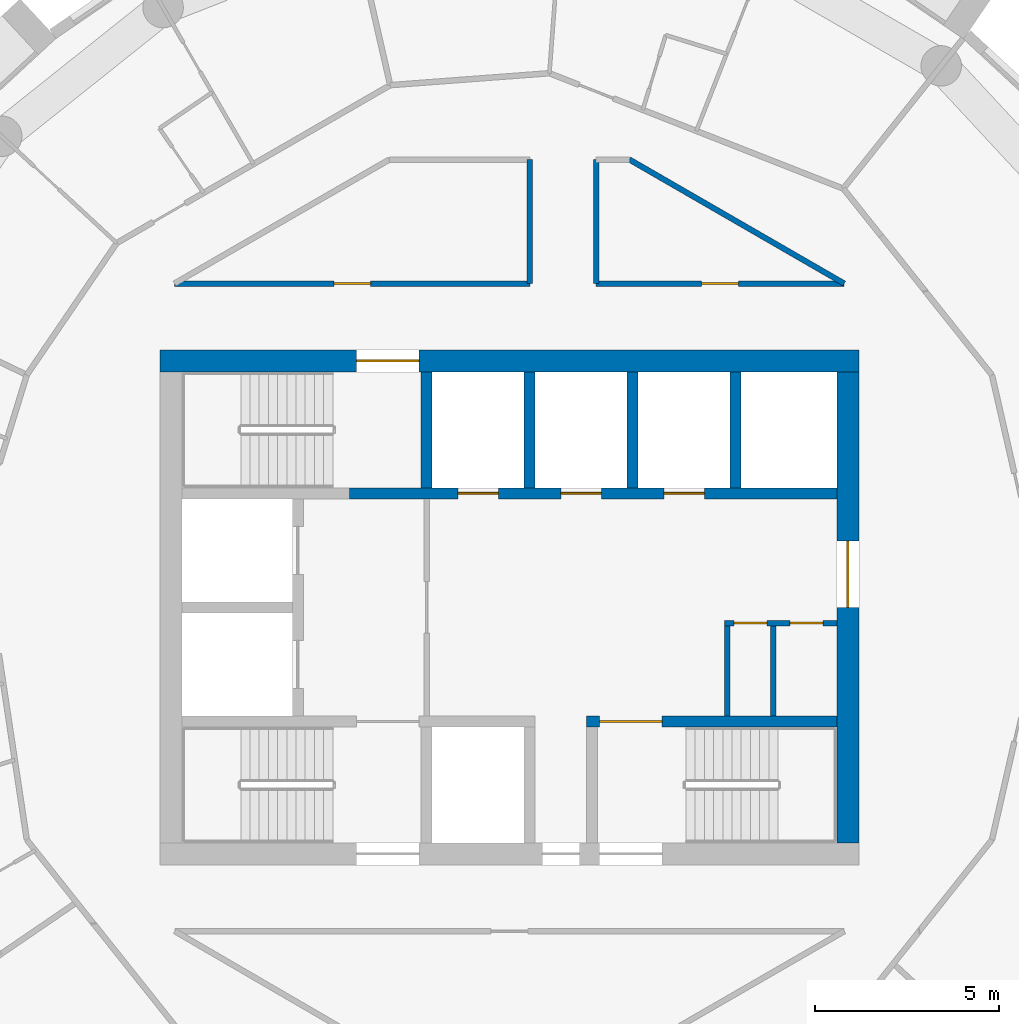
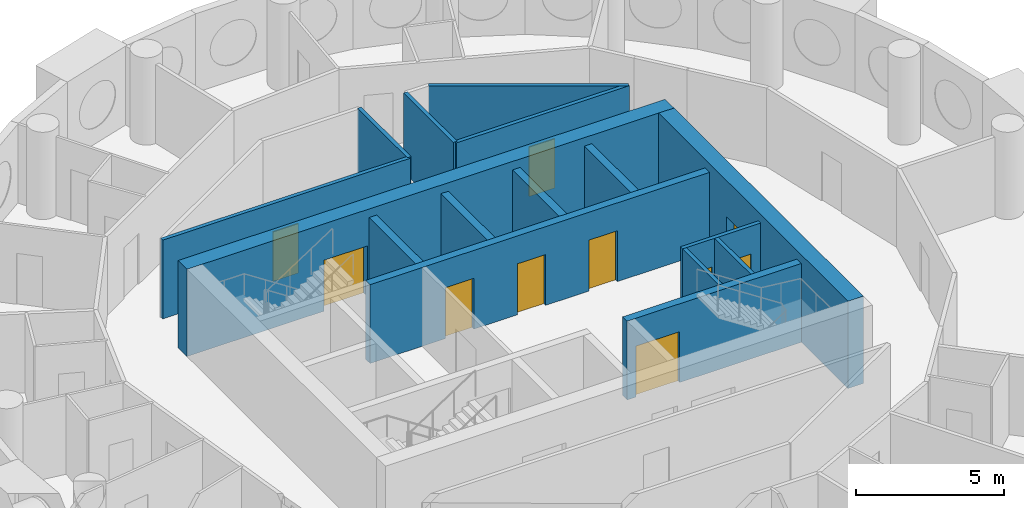
# One storey, part 6 of 11: 16 walls, 10 doors, 10 openings.
"""IFC4 building model written with IfcOpenShell, lengths in metres."""

import ifcopenshell
import ifcopenshell.guid

model = None  # the IFC model being written
_history = None  # IfcOwnerHistory: only IFC2X3 demands one
_inside = {}  # id of a spatial element -> (the spatial element, [elements in it])
_under = {}  # id of a project, library or spatial element -> (it, [spatial elements below it])
_declared = {}  # id of a project -> (the project, [libraries it declares])
_typed = {}  # id of a type object -> (the type object, [elements of that type])
_made_of = {}  # id of a material, layer set ... -> (it, [elements and type objects made of it])


def new_model(schema):
    """Start an empty IFC model of exactly this schema.

    Asked for "IFC4X3", IfcOpenShell would pick the latest addendum, in which some entities
    have other attributes; the version numbers below select the first issue.
    IFC2X3 requires an IfcOwnerHistory on every rooted entity: one is made here for all.
    """
    global model, _history
    if schema == "IFC4X3":
        model = ifcopenshell.file(schema_version=(4, 3, 0, 0))
    else:
        model = ifcopenshell.file(schema=schema)
    _inside.clear()
    _under.clear()
    _declared.clear()
    _typed.clear()
    _made_of.clear()
    _history = None
    if model.schema == "IFC2X3":
        org = make("IfcOrganization", Name="unknown")
        user = make(
            "IfcPersonAndOrganization",
            ThePerson=make("IfcPerson", FamilyName="unknown"),
            TheOrganization=org,
        )
        app = make(
            "IfcApplication",
            ApplicationDeveloper=org,
            Version="unknown",
            ApplicationFullName="unknown",
            ApplicationIdentifier="unknown",
        )
        _history = make(
            "IfcOwnerHistory",
            OwningUser=user,
            OwningApplication=app,
            ChangeAction="ADDED",
            CreationDate=0,
        )
    return model


def make(cls, **values):
    """One entity of the class cls with the attributes given. An attribute that is None is left unset."""
    return model.create_entity(
        cls, **{name: value for name, value in values.items() if value is not None}
    )


def rooted(cls, **values):
    """An entity with a GlobalId (a new one), such as an element, a storey or a relation."""
    return make(cls, GlobalId=ifcopenshell.guid.new(), OwnerHistory=_history, **values)


def si_unit(unit_type, name, prefix=None):
    """IfcSIUnit, for example si_unit("LENGTHUNIT", "METRE", prefix="MILLI")."""
    return make("IfcSIUnit", UnitType=unit_type, Prefix=prefix, Name=name)


def assignment(units):
    """IfcUnitAssignment: the units of a project."""
    return None if units is None else make("IfcUnitAssignment", Units=units)


def point(xyz):
    """IfcCartesianPoint."""
    return None if xyz is None else make("IfcCartesianPoint", Coordinates=xyz)


def direction(xyz):
    """IfcDirection."""
    return None if xyz is None else make("IfcDirection", DirectionRatios=xyz)


def frame(location, z_axis=None, x_axis=None):
    """IfcAxis2Placement3D, a coordinate frame: its origin and axes. An axis left out is left unset."""
    return make(
        "IfcAxis2Placement3D",
        Location=point(location),
        Axis=direction(z_axis),
        RefDirection=direction(x_axis),
    )


def frame_2d(location, x_axis=None):
    """IfcAxis2Placement2D, a coordinate frame in the plane: its origin and x axis."""
    return make(
        "IfcAxis2Placement2D", Location=point(location), RefDirection=direction(x_axis)
    )


def origin():
    """The frame at (0, 0, 0) with its axes left unset."""
    return frame((0.0, 0.0, 0.0))


def place(relative_to, where):
    """IfcLocalPlacement: puts the frame where relative to a parent placement (None: the world)."""
    return make(
        "IfcLocalPlacement", PlacementRelTo=relative_to, RelativePlacement=where
    )


def context(
    kind, dimensions, precision=None, world=None, true_north=None, identifier=None
):
    """IfcGeometricRepresentationContext, for example the 3D "Model" context."""
    return make(
        "IfcGeometricRepresentationContext",
        ContextIdentifier=identifier,
        ContextType=kind,
        CoordinateSpaceDimension=dimensions,
        Precision=precision,
        WorldCoordinateSystem=world,
        TrueNorth=true_north,
    )


def subcontext(parent, identifier, kind, view, scale=None):
    """IfcGeometricRepresentationSubContext, for example "Body" below "Model"."""
    return make(
        "IfcGeometricRepresentationSubContext",
        ContextIdentifier=identifier,
        ContextType=kind,
        ParentContext=parent,
        TargetScale=scale,
        TargetView=view,
    )


def project(units=None, contexts=None):
    """IfcProject with its units and contexts."""
    return rooted(
        "IfcProject",
        Name="project",
        RepresentationContexts=contexts,
        UnitsInContext=assignment(units),
    )


def spatial(cls, under=None, at=None, **own):
    """A site, building, storey or space (cls), placed at a placement, below another one or the project."""
    s = rooted(cls, ObjectPlacement=at, **own)
    if under is not None:
        _under.setdefault(under.id(), (under, []))[1].append(s)
    return s


def profile(cls, at=None, kind="AREA", **sizes):
    """A parametric profile (cls). Its sizes go by their IFC names, for example OverallWidth=200.0."""
    return make(cls, ProfileType=kind, Position=at, **sizes)


def rectangle(**sizes):
    """IfcRectangleProfileDef."""
    return profile("IfcRectangleProfileDef", **sizes)


def extrude(swept, where, along, depth):
    """IfcExtrudedAreaSolid: the profile swept, set in the frame where, extruded along a direction by depth."""
    return make(
        "IfcExtrudedAreaSolid",
        SweptArea=swept,
        Position=where,
        ExtrudedDirection=direction(along),
        Depth=depth,
    )


def shape(context_of_items, identifier, shape_type, items):
    """IfcShapeRepresentation: the items that make up one representation, for example the "Body"."""
    return make(
        "IfcShapeRepresentation",
        ContextOfItems=context_of_items,
        RepresentationIdentifier=identifier,
        RepresentationType=shape_type,
        Items=items,
    )


def material(Name=None, Category=None):
    """IfcMaterial."""
    return make("IfcMaterial", Name=Name, Category=Category)


def layer(
    of_material, thickness, ventilated=None, Name=None, Category=None, Priority=None
):
    """IfcMaterialLayer: one layer of a wall or slab, of a material (None: an air gap)."""
    return make(
        "IfcMaterialLayer",
        Material=of_material,
        LayerThickness=thickness,
        IsVentilated=ventilated,
        Name=Name,
        Category=Category,
        Priority=Priority,
    )


def layer_set(layers, Name=None):
    """IfcMaterialLayerSet."""
    return make("IfcMaterialLayerSet", MaterialLayers=layers, LayerSetName=Name)


def made_of(thing, what):
    """Note that an element or type object is made of a material, layer set ...; save() writes the relation."""
    if what is not None:
        _made_of.setdefault(what.id(), (what, []))[1].append(thing)
    return thing


def type_object(cls, material=None, **own):
    """A type object (cls), such as IfcWallType, which elements share."""
    return made_of(rooted(cls, **own), material)


def element(
    cls,
    number,
    at=None,
    inside=None,
    cuts=None,
    type_object=None,
    material=None,
    context=None,
    identifier="Body",
    shape_type=None,
    held_by="IfcProductDefinitionShape",
    body=None,
    shapes=None,
    **own,
):
    """One element of the class cls, such as IfcWall. Its Tag is "e" and its number.

    at: its placement. inside: the storey or other place that contains it. cuts: it is an
    opening in that element (IfcRelVoidsElement). A single representation is given by context,
    identifier, shape_type and body (its items); several are given by shapes. held_by: the class
    of the entity that holds the representations. save() writes the other relations.
    """
    e = rooted(cls, Tag="e%d" % number, ObjectPlacement=at, **own)
    if body is not None:
        shapes = [shape(context, identifier, shape_type, body)]
    if shapes is not None:
        e.Representation = make(held_by, Representations=shapes)
    if inside is not None:
        _inside.setdefault(inside.id(), (inside, []))[1].append(e)
    if cuts is not None:
        rooted(
            "IfcRelVoidsElement", RelatingBuildingElement=cuts, RelatedOpeningElement=e
        )
    if type_object is not None:
        _typed.setdefault(type_object.id(), (type_object, []))[1].append(e)
    return made_of(e, material)


def fill(opening, filler):
    """IfcRelFillsElement: the door or window that sits in an opening."""
    return rooted(
        "IfcRelFillsElement",
        RelatingOpeningElement=opening,
        RelatedBuildingElement=filler,
    )


def aggregate(whole, parts):
    """IfcRelAggregates: a whole, such as a stair, and the parts it consists of."""
    return rooted("IfcRelAggregates", RelatingObject=whole, RelatedObjects=parts)


def save(model, path):
    """Write the relations noted so far, then the file.

    IfcRelAggregates (storeys below a building ...), IfcRelContainedInSpatialStructure (elements
    in a storey), IfcRelDefinesByType, IfcRelAssociatesMaterial and IfcRelDeclares: one each for
    every whole, place, type object, material and project.
    """
    for whole, parts in _under.values():
        aggregate(whole, parts)
    for where, things in _inside.values():
        rooted(
            "IfcRelContainedInSpatialStructure",
            RelatedElements=things,
            RelatingStructure=where,
        )
    for kind, things in _typed.values():
        rooted("IfcRelDefinesByType", RelatedObjects=things, RelatingType=kind)
    for what, things in _made_of.values():
        rooted("IfcRelAssociatesMaterial", RelatedObjects=things, RelatingMaterial=what)
    for by, libraries in _declared.values():
        rooted("IfcRelDeclares", RelatingContext=by, RelatedDefinitions=libraries)
    model.write(path)


model = new_model("IFC4")

# Units and contexts
model_context = context("Model", 3, precision=1e-05, world=origin(), true_north=direction((0.0, 1.0)))
body_context = subcontext(model_context, "Body", "Model", "MODEL_VIEW")
ifc_project = project(units=[si_unit("LENGTHUNIT", "METRE"), si_unit("AREAUNIT", "SQUARE_METRE"), si_unit("VOLUMEUNIT", "CUBIC_METRE"), si_unit("PLANEANGLEUNIT", "RADIAN"), si_unit("MASSUNIT", "GRAM", prefix="KILO")], contexts=[model_context])

# Site, building, storey
site_placement = place(None, origin())
site = spatial("IfcSite", under=ifc_project, at=site_placement, CompositionType="ELEMENT")
building_placement = place(site_placement, origin())
building = spatial("IfcBuilding", under=site, at=building_placement, Name="Tracery Tower", CompositionType="ELEMENT")
storey_placement = place(building_placement, frame((0.0, 0.0, 263.39990234375)))
storey = spatial("IfcBuildingStorey", under=building, at=storey_placement, Name="L68", CompositionType="ELEMENT", Elevation=263.39990234375)

# Wall
ifc_material_1 = material(Name="Plasterboard on steel studs", Category="steel")
ifc_layer_1 = layer(ifc_material_1, 0.14990234375)
ifc_layer_set_1 = layer_set([ifc_layer_1], Name="Core room partition 150")
wall_type_1 = type_object("IfcWallType", Name="Core room partition 150", PredefinedType="SOLIDWALL", material=ifc_layer_set_1)
wall_1_placement = place(storey_placement, frame((5.925048828125, -2.949951171875, 0.0), z_axis=(0.0, 0.0, 1.0), x_axis=(0.0, 1.0, 0.0)))
element("IfcWall", 1, at=wall_1_placement, inside=storey, type_object=wall_type_1, Name="L68 slot W", PredefinedType="SOLIDWALL", context=body_context, shape_type="SweptSolid", body=[
    extrude(rectangle(XDim=2.449951171875, YDim=0.14990234375, at=frame_2d((1.22509765625, 0.0))), origin(), (0.0, 0.0, 1.0), 3.25),
])

# Wall, openings, doors
wall_2_placement = place(storey_placement, frame((5.85009765625, -0.425048828125, 0.0), z_axis=(0.0, 0.0, 1.0), x_axis=(1.0, 0.0, 0.0)))
wall_2 = element("IfcWall", 2, at=wall_2_placement, inside=storey, type_object=wall_type_1, Name="L68 slot N", PredefinedType="SOLIDWALL", context=body_context, shape_type="SweptSolid", body=[
    extrude(rectangle(XDim=3.0498046875, YDim=0.14990234375, at=frame_2d((1.52490234375, 0.0))), origin(), (0.0, 0.0, 1.0), 3.25),
])
opening_1_placement = place(wall_2_placement, frame((0.25, 0.0, 0.0)))
opening_1 = element("IfcOpeningElement", 3, at=opening_1_placement, cuts=wall_2, Name="Opening KD27", PredefinedType="OPENING", context=body_context, shape_type="SweptSolid", body=[
    extrude(rectangle(XDim=0.89990234375, YDim=2.10009765625, at=frame_2d((0.449951171875, 1.050048828125))), frame((0.0, 0.074951171875, 0.0), z_axis=(0.0, -1.0, 0.0), x_axis=(1.0, 0.0, 0.0)), (0.0, 0.0, 1.0), 0.14990234375),
])
opening_2_placement = place(wall_2_placement, frame((1.77490234375, 0.0, 0.0)))
opening_2 = element("IfcOpeningElement", 4, at=opening_2_placement, cuts=wall_2, Name="Opening KD21", PredefinedType="OPENING", context=body_context, shape_type="SweptSolid", body=[
    extrude(rectangle(XDim=0.89990234375, YDim=2.10009765625, at=frame_2d((0.449951171875, 1.050048828125))), frame((0.0, 0.074951171875, 0.0), z_axis=(0.0, -1.0, 0.0), x_axis=(1.0, 0.0, 0.0)), (0.0, 0.0, 1.0), 0.14990234375),
])
ifc_material_2 = material(Name="Timber door leaf", Category="wood")
door_type_1 = type_object("IfcDoorType", Name="Core WC door 900", OperationType="NOTDEFINED", PredefinedType="DOOR", material=ifc_material_2)
door_1_placement = place(opening_2_placement, origin())
door_1 = element("IfcDoor", 5, at=door_1_placement, inside=storey, type_object=door_type_1, Name="Core door", OperationType="SINGLE_SWING_LEFT", OverallHeight=2.10009765625, OverallWidth=0.89990234375, PredefinedType="DOOR", context=body_context, shape_type="SweptSolid", body=[
    extrude(rectangle(XDim=0.89990234375, YDim=2.10009765625, at=frame_2d((0.449951171875, 1.050048828125))), frame((0.0, 0.02490234375, 0.0), z_axis=(0.0, -1.0, 0.0), x_axis=(1.0, 0.0, 0.0)), (0.0, 0.0, 1.0), 0.050048828125),
])
fill(opening_2, door_1)
ifc_material_3 = material(Name="Timber door leaf", Category="wood")
door_type_2 = type_object("IfcDoorType", Name="Core store door 900", OperationType="NOTDEFINED", PredefinedType="DOOR", material=ifc_material_3)
door_2_placement = place(opening_1_placement, origin())
door_2 = element("IfcDoor", 6, at=door_2_placement, inside=storey, type_object=door_type_2, Name="Core door", OperationType="SINGLE_SWING_RIGHT", OverallHeight=2.10009765625, OverallWidth=0.89990234375, PredefinedType="DOOR", context=body_context, shape_type="SweptSolid", body=[
    extrude(rectangle(XDim=0.89990234375, YDim=2.10009765625, at=frame_2d((0.449951171875, 1.050048828125))), frame((0.0, 0.02490234375, 0.0), z_axis=(0.0, -1.0, 0.0), x_axis=(1.0, 0.0, 0.0)), (0.0, 0.0, 1.0), 0.050048828125),
])
fill(opening_1, door_2)

# Wall
wall_3_placement = place(storey_placement, frame((7.175048828125, -2.949951171875, 0.0), z_axis=(0.0, 0.0, 1.0), x_axis=(0.0, 1.0, 0.0)))
element("IfcWall", 7, at=wall_3_placement, inside=storey, type_object=wall_type_1, Name="L68 slot sep 1", PredefinedType="SOLIDWALL", context=body_context, shape_type="SweptSolid", body=[
    extrude(rectangle(XDim=2.449951171875, YDim=0.14990234375, at=frame_2d((1.22509765625, 0.0))), origin(), (0.0, 0.0, 1.0), 3.25),
])

# Wall, opening, door
ifc_material_4 = material(Name="Concrete C40/50", Category="concrete")
ifc_layer_2 = layer(ifc_material_4, 0.60009765625)
ifc_layer_set_2 = layer_set([ifc_layer_2], Name="Core wall 600 C40")
wall_type_2 = type_object("IfcWallType", Name="Core wall 600 C40", PredefinedType="SOLIDWALL", material=ifc_layer_set_2)
wall_4_placement = place(storey_placement, frame((-9.5, 6.699951171875, 0.0), z_axis=(0.0, 0.0, 1.0), x_axis=(1.0, 0.0, 0.0)))
wall_4 = element("IfcWall", 8, at=wall_4_placement, inside=storey, type_object=wall_type_2, Name="L68 outer N", PredefinedType="SOLIDWALL", context=body_context, shape_type="SweptSolid", body=[
    extrude(rectangle(XDim=19.0, YDim=0.60009765625, at=frame_2d((9.5, 0.0))), origin(), (0.0, 0.0, 1.0), 3.60009765625),
])
opening_3_placement = place(wall_4_placement, frame((5.35009765625, 0.0, 0.0)))
opening_3 = element("IfcOpeningElement", 9, at=opening_3_placement, cuts=wall_4, Name="Opening KD3", PredefinedType="OPENING", context=body_context, shape_type="SweptSolid", body=[
    extrude(rectangle(XDim=1.699951171875, YDim=2.10009765625, at=frame_2d((0.85009765625, 1.050048828125))), frame((0.0, 0.300048828125, 0.0), z_axis=(0.0, -1.0, 0.0), x_axis=(1.0, 0.0, 0.0)), (0.0, 0.0, 1.0), 0.60009765625),
])
ifc_material_5 = material(Name="Steel fire door", Category="steel")
door_type_3 = type_object("IfcDoorType", Name="Core stair door 1700 double", OperationType="NOTDEFINED", PredefinedType="DOOR", material=ifc_material_5)
door_3_placement = place(opening_3_placement, origin())
door_3 = element("IfcDoor", 10, at=door_3_placement, inside=storey, type_object=door_type_3, Name="Stair door ST3 exit", OperationType="DOUBLE_DOOR_SINGLE_SWING", OverallHeight=2.10009765625, OverallWidth=1.699951171875, PredefinedType="DOOR", context=body_context, shape_type="SweptSolid", body=[
    extrude(rectangle(XDim=1.699951171875, YDim=2.10009765625, at=frame_2d((0.85009765625, 1.050048828125))), frame((0.0, 0.02490234375, 0.0), z_axis=(0.0, -1.0, 0.0), x_axis=(1.0, 0.0, 0.0)), (0.0, 0.0, 1.0), 0.050048828125),
])
fill(opening_3, door_3)

wall_5_placement = place(storey_placement, frame((9.199951171875, -6.39990234375, 0.0), z_axis=(0.0, 0.0, 1.0), x_axis=(0.0, 1.0, 0.0)))
wall_5 = element("IfcWall", 11, at=wall_5_placement, inside=storey, type_object=wall_type_2, Name="L68 outer E", PredefinedType="SOLIDWALL", context=body_context, shape_type="SweptSolid", body=[
    extrude(rectangle(XDim=12.7998046875, YDim=0.60009765625, at=frame_2d((6.39990234375, 0.0))), origin(), (0.0, 0.0, 1.0), 3.60009765625),
])
opening_4_placement = place(wall_5_placement, frame((6.39990234375, 0.0, 0.0)))
opening_4 = element("IfcOpeningElement", 12, at=opening_4_placement, cuts=wall_5, Name="Opening KD13", PredefinedType="OPENING", context=body_context, shape_type="SweptSolid", body=[
    extrude(rectangle(XDim=1.800048828125, YDim=2.10009765625, at=frame_2d((0.89990234375, 1.050048828125))), frame((0.0, 0.300048828125, 0.0), z_axis=(0.0, -1.0, 0.0), x_axis=(1.0, 0.0, 0.0)), (0.0, 0.0, 1.0), 0.60009765625),
])
ifc_material_6 = material(Name="Steel fire door", Category="steel")
door_type_4 = type_object("IfcDoorType", Name="Core exit door 1800 double", OperationType="NOTDEFINED", PredefinedType="DOOR", material=ifc_material_6)
door_4_placement = place(opening_4_placement, origin())
door_4 = element("IfcDoor", 13, at=door_4_placement, inside=storey, type_object=door_type_4, Name="Core exit door", OperationType="DOUBLE_DOOR_SINGLE_SWING", OverallHeight=2.10009765625, OverallWidth=1.800048828125, PredefinedType="DOOR", context=body_context, shape_type="SweptSolid", body=[
    extrude(rectangle(XDim=1.800048828125, YDim=2.10009765625, at=frame_2d((0.89990234375, 1.050048828125))), frame((0.0, 0.02490234375, 0.0), z_axis=(0.0, -1.0, 0.0), x_axis=(1.0, 0.0, 0.0)), (0.0, 0.0, 1.0), 0.050048828125),
])
fill(opening_4, door_4)

ifc_material_7 = material(Name="Plasterboard on steel studs", Category="steel")
ifc_layer_3 = layer(ifc_material_7, 0.14990234375)
ifc_layer_set_3 = layer_set([ifc_layer_3], Name="Partition 150 corridor wall")
wall_type_3 = type_object("IfcWallType", Name="Partition 150 corridor wall", PredefinedType="PARTITIONING", material=ifc_layer_set_3)
wall_6_placement = place(storey_placement, frame((-9.10302734375, 8.800048828125, 0.0), z_axis=(0.0, 0.0, 1.0), x_axis=(1.0, 0.0, 0.0)))
wall_6 = element("IfcWall", 14, at=wall_6_placement, inside=storey, type_object=wall_type_3, Name="Corridor wall RC4-001", PredefinedType="PARTITIONING", context=body_context, shape_type="SweptSolid", body=[
    extrude(rectangle(XDim=9.6630859375, YDim=0.14990234375, at=frame_2d((4.83154296875, 0.0))), origin(), (0.0, 0.0, 1.0), 3.25),
])
opening_5_placement = place(wall_6_placement, frame((4.33203125, 0.0, 0.0)))
opening_5 = element("IfcOpeningElement", 15, at=opening_5_placement, cuts=wall_6, Name="Opening RC4-01", PredefinedType="OPENING", context=body_context, shape_type="SweptSolid", body=[
    extrude(rectangle(XDim=1.0, YDim=2.0400390625, at=frame_2d((0.5, 1.02001953125))), frame((0.0, 0.074951171875, 0.0), z_axis=(0.0, -1.0, 0.0), x_axis=(1.0, 0.0, 0.0)), (0.0, 0.0, 1.0), 0.14990234375),
])
ifc_material_8 = material(Name="Timber door leaf", Category="wood")
door_type_5 = type_object("IfcDoorType", Name="Door communal room 1000", OperationType="NOTDEFINED", PredefinedType="DOOR", material=ifc_material_8)
door_5_placement = place(opening_5_placement, origin())
door_5 = element("IfcDoor", 16, at=door_5_placement, inside=storey, type_object=door_type_5, Name="Communal room door RC4-01", OperationType="SINGLE_SWING_RIGHT", OverallHeight=2.0400390625, OverallWidth=1.0, PredefinedType="DOOR", context=body_context, shape_type="SweptSolid", body=[
    extrude(rectangle(XDim=1.0, YDim=2.0400390625, at=frame_2d((0.5, 1.02001953125))), frame((0.0, 0.02490234375, 0.0), z_axis=(0.0, -1.0, 0.0), x_axis=(1.0, 0.0, 0.0)), (0.0, 0.0, 1.0), 0.050048828125),
])
fill(opening_5, door_5)

wall_7_placement = place(storey_placement, frame((2.35205078125, 8.800048828125, 0.0), z_axis=(0.0, 0.0, 1.0), x_axis=(1.0, 0.0, 0.0)))
wall_7 = element("IfcWall", 17, at=wall_7_placement, inside=storey, type_object=wall_type_3, Name="Corridor wall RC4-002", PredefinedType="PARTITIONING", context=body_context, shape_type="SweptSolid", body=[
    extrude(rectangle(XDim=6.74853515625, YDim=0.14990234375, at=frame_2d((3.374267578125, 0.0))), origin(), (0.0, 0.0, 1.0), 3.25),
])
opening_6_placement = place(wall_7_placement, frame((2.8701171875, 0.0, 0.0)))
opening_6 = element("IfcOpeningElement", 18, at=opening_6_placement, cuts=wall_7, Name="Opening RC4-02", PredefinedType="OPENING", context=body_context, shape_type="SweptSolid", body=[
    extrude(rectangle(XDim=1.0, YDim=2.0400390625, at=frame_2d((0.5, 1.02001953125))), frame((0.0, 0.074951171875, 0.0), z_axis=(0.0, -1.0, 0.0), x_axis=(1.0, 0.0, 0.0)), (0.0, 0.0, 1.0), 0.14990234375),
])
door_6_placement = place(opening_6_placement, origin())
door_6 = element("IfcDoor", 19, at=door_6_placement, inside=storey, type_object=door_type_5, Name="Communal room door RC4-02", OperationType="SINGLE_SWING_RIGHT", OverallHeight=2.0400390625, OverallWidth=1.0, PredefinedType="DOOR", context=body_context, shape_type="SweptSolid", body=[
    extrude(rectangle(XDim=1.0, YDim=2.0400390625, at=frame_2d((0.5, 1.02001953125))), frame((0.0, 0.02490234375, 0.0), z_axis=(0.0, -1.0, 0.0), x_axis=(1.0, 0.0, 0.0)), (0.0, 0.0, 1.0), 0.050048828125),
])
fill(opening_6, door_6)

# Walls
wall_8_placement = place(storey_placement, frame((0.555908203125, 8.800048828125, 0.0), z_axis=(0.0, 0.0, 1.0), x_axis=(0.0, 1.0, 0.0)))
element("IfcWall", 20, at=wall_8_placement, inside=storey, type_object=wall_type_3, Name="Corridor wall RC4-020", PredefinedType="PARTITIONING", context=body_context, shape_type="SweptSolid", body=[
    extrude(rectangle(XDim=3.370849609375, YDim=0.14990234375, at=frame_2d((1.685546875, 0.0))), origin(), (0.0, 0.0, 1.0), 3.25),
])
wall_9_placement = place(storey_placement, frame((3.260986328125, 12.1708984375, 0.0), z_axis=(0.0, 0.0, 1.0), x_axis=(0.866066809554, -0.499928276245, 0.0)))
element("IfcWall", 21, at=wall_9_placement, inside=storey, type_object=wall_type_3, Name="Corridor wall RC4-023", PredefinedType="PARTITIONING", context=body_context, shape_type="SweptSolid", body=[
    extrude(rectangle(XDim=6.74267578125, YDim=0.14990234375, at=frame_2d((3.371337890625, 0.0))), origin(), (0.0, 0.0, 1.0), 3.25),
])
wall_10_placement = place(storey_placement, frame((2.35595703125, 8.800048828125, 0.0), z_axis=(0.0, 0.0, 1.0), x_axis=(0.0, 1.0, 0.0)))
element("IfcWall", 22, at=wall_10_placement, inside=storey, type_object=wall_type_3, Name="Corridor wall RC4-025", PredefinedType="PARTITIONING", context=body_context, shape_type="SweptSolid", body=[
    extrude(rectangle(XDim=3.370849609375, YDim=0.14990234375, at=frame_2d((1.685546875, 0.0))), origin(), (0.0, 0.0, 1.0), 3.25),
])
ifc_material_9 = material(Name="Concrete C40/50", Category="concrete")
ifc_layer_4 = layer(ifc_material_9, 0.300048828125)
ifc_layer_set_4 = layer_set([ifc_layer_4], Name="Shaft wall 300 C40")
wall_type_4 = type_object("IfcWallType", Name="Shaft wall 300 C40", PredefinedType="SOLIDWALL", material=ifc_layer_set_4)
for number, where, z_axis, x_axis, name in (
    (23, (0.550048828125, 3.25, 0.0), (0.0, 0.0, 1.0), (0.0, 1.0, 0.0), "L68 HR sep 1"),
    (24, (3.35009765625, 3.25, 0.0), (0.0, 0.0, 1.0), (0.0, 1.0, 0.0), "L68 HR sep 2"),
    (25, (6.14990234375, 3.25, 0.0), (0.0, 0.0, 1.0), (0.0, 1.0, 0.0), "L68 HR sep 3"),
):
    element("IfcWall", number, at=place(storey_placement, frame(where, z_axis=z_axis, x_axis=x_axis)), inside=storey, type_object=wall_type_4, Name=name, PredefinedType="SOLIDWALL", context=body_context, shape_type="SweptSolid", body=[
        extrude(rectangle(XDim=3.14990234375, YDim=0.300048828125, at=frame_2d((1.574951171875, 0.0))), origin(), (0.0, 0.0, 1.0), 3.25),
    ])

# Wall, opening, door
ifc_material_10 = material(Name="Concrete C40/50", Category="concrete")
ifc_layer_5 = layer(ifc_material_10, 0.300048828125)
ifc_layer_set_5 = layer_set([ifc_layer_5], Name="Stair wall 300 C40")
wall_type_5 = type_object("IfcWallType", Name="Stair wall 300 C40", PredefinedType="SOLIDWALL", material=ifc_layer_set_5)
wall_11_placement = place(storey_placement, frame((2.10009765625, -3.10009765625, 0.0), z_axis=(0.0, 0.0, 1.0), x_axis=(1.0, 0.0, 0.0)))
wall_11 = element("IfcWall", 26, at=wall_11_placement, inside=storey, type_object=wall_type_5, Name="L68 row S E", PredefinedType="SOLIDWALL", context=body_context, shape_type="SweptSolid", body=[
    extrude(rectangle(XDim=6.7998046875, YDim=0.300048828125, at=frame_2d((3.39990234375, 0.0))), origin(), (0.0, 0.0, 1.0), 3.25),
])
opening_7_placement = place(wall_11_placement, frame((0.35009765625, 0.0, 0.0)))
opening_7 = element("IfcOpeningElement", 27, at=opening_7_placement, cuts=wall_11, Name="Opening KD3", PredefinedType="OPENING", context=body_context, shape_type="SweptSolid", body=[
    extrude(rectangle(XDim=1.699951171875, YDim=2.10009765625, at=frame_2d((0.85009765625, 1.050048828125))), frame((0.0, 0.14990234375, 0.0), z_axis=(0.0, -1.0, 0.0), x_axis=(1.0, 0.0, 0.0)), (0.0, 0.0, 1.0), 0.300048828125),
])
door_7_placement = place(opening_7_placement, origin())
door_7 = element("IfcDoor", 28, at=door_7_placement, inside=storey, type_object=door_type_3, Name="Stair door ST2", OperationType="DOUBLE_DOOR_SINGLE_SWING", OverallHeight=2.10009765625, OverallWidth=1.699951171875, PredefinedType="DOOR", context=body_context, shape_type="SweptSolid", body=[
    extrude(rectangle(XDim=1.699951171875, YDim=2.10009765625, at=frame_2d((0.85009765625, 1.050048828125))), frame((0.0, 0.02490234375, 0.0), z_axis=(0.0, -1.0, 0.0), x_axis=(1.0, 0.0, 0.0)), (0.0, 0.0, 1.0), 0.050048828125),
])
fill(opening_7, door_7)

# Wall, openings, doors
wall_12_placement = place(storey_placement, frame((-4.35009765625, 3.10009765625, 0.0), z_axis=(0.0, 0.0, 1.0), x_axis=(1.0, 0.0, 0.0)))
wall_12 = element("IfcWall", 29, at=wall_12_placement, inside=storey, type_object=wall_type_5, Name="L68 row N", PredefinedType="SOLIDWALL", context=body_context, shape_type="SweptSolid", body=[
    extrude(rectangle(XDim=13.25, YDim=0.300048828125, at=frame_2d((6.625, 0.0))), origin(), (0.0, 0.0, 1.0), 3.25),
])
opening_8_placement = place(wall_12_placement, frame((2.949951171875, 0.0, 0.0)))
opening_8 = element("IfcOpeningElement", 30, at=opening_8_placement, cuts=wall_12, Name="Opening KD49", PredefinedType="OPENING", context=body_context, shape_type="SweptSolid", body=[
    extrude(rectangle(XDim=1.10009765625, YDim=2.10009765625, at=frame_2d((0.550048828125, 1.050048828125))), frame((0.0, 0.14990234375, 0.0), z_axis=(0.0, -1.0, 0.0), x_axis=(1.0, 0.0, 0.0)), (0.0, 0.0, 1.0), 0.300048828125),
])
opening_9_placement = place(wall_12_placement, frame((5.75, 0.0, 0.0)))
opening_9 = element("IfcOpeningElement", 31, at=opening_9_placement, cuts=wall_12, Name="Opening KD50", PredefinedType="OPENING", context=body_context, shape_type="SweptSolid", body=[
    extrude(rectangle(XDim=1.10009765625, YDim=2.10009765625, at=frame_2d((0.550048828125, 1.050048828125))), frame((0.0, 0.14990234375, 0.0), z_axis=(0.0, -1.0, 0.0), x_axis=(1.0, 0.0, 0.0)), (0.0, 0.0, 1.0), 0.300048828125),
])
opening_10_placement = place(wall_12_placement, frame((8.550048828125, 0.0, 0.0)))
opening_10 = element("IfcOpeningElement", 32, at=opening_10_placement, cuts=wall_12, Name="Opening KD49", PredefinedType="OPENING", context=body_context, shape_type="SweptSolid", body=[
    extrude(rectangle(XDim=1.10009765625, YDim=2.10009765625, at=frame_2d((0.550048828125, 1.050048828125))), frame((0.0, 0.14990234375, 0.0), z_axis=(0.0, -1.0, 0.0), x_axis=(1.0, 0.0, 0.0)), (0.0, 0.0, 1.0), 0.300048828125),
])
ifc_material_11 = material(Name="Steel fire door", Category="steel")
door_type_6 = type_object("IfcDoorType", Name="Landing door 1100", OperationType="NOTDEFINED", PredefinedType="DOOR", material=ifc_material_11)
door_8_placement = place(opening_8_placement, origin())
door_8 = element("IfcDoor", 33, at=door_8_placement, inside=storey, type_object=door_type_6, Name="Landing door HR1", OperationType="SLIDING_TO_LEFT", OverallHeight=2.10009765625, OverallWidth=1.10009765625, PredefinedType="DOOR", context=body_context, shape_type="SweptSolid", body=[
    extrude(rectangle(XDim=1.10009765625, YDim=2.10009765625, at=frame_2d((0.550048828125, 1.050048828125))), frame((0.0, 0.02490234375, 0.0), z_axis=(0.0, -1.0, 0.0), x_axis=(1.0, 0.0, 0.0)), (0.0, 0.0, 1.0), 0.050048828125),
])
fill(opening_8, door_8)
door_9_placement = place(opening_9_placement, origin())
door_9 = element("IfcDoor", 34, at=door_9_placement, inside=storey, type_object=door_type_6, Name="Landing door HR2", OperationType="SLIDING_TO_RIGHT", OverallHeight=2.10009765625, OverallWidth=1.10009765625, PredefinedType="DOOR", context=body_context, shape_type="SweptSolid", body=[
    extrude(rectangle(XDim=1.10009765625, YDim=2.10009765625, at=frame_2d((0.550048828125, 1.050048828125))), frame((0.0, 0.02490234375, 0.0), z_axis=(0.0, -1.0, 0.0), x_axis=(1.0, 0.0, 0.0)), (0.0, 0.0, 1.0), 0.050048828125),
])
fill(opening_9, door_9)
door_10_placement = place(opening_10_placement, origin())
door_10 = element("IfcDoor", 35, at=door_10_placement, inside=storey, type_object=door_type_6, Name="Landing door HR3", OperationType="SLIDING_TO_LEFT", OverallHeight=2.10009765625, OverallWidth=1.10009765625, PredefinedType="DOOR", context=body_context, shape_type="SweptSolid", body=[
    extrude(rectangle(XDim=1.10009765625, YDim=2.10009765625, at=frame_2d((0.550048828125, 1.050048828125))), frame((0.0, 0.02490234375, 0.0), z_axis=(0.0, -1.0, 0.0), x_axis=(1.0, 0.0, 0.0)), (0.0, 0.0, 1.0), 0.050048828125),
])
fill(opening_10, door_10)

# Wall
wall_13_placement = place(storey_placement, frame((-2.25, 3.25, 0.0), z_axis=(0.0, 0.0, 1.0), x_axis=(0.0, 1.0, 0.0)))
element("IfcWall", 36, at=wall_13_placement, inside=storey, type_object=wall_type_5, Name="L68 ST3 E", PredefinedType="SOLIDWALL", context=body_context, shape_type="SweptSolid", body=[
    extrude(rectangle(XDim=3.14990234375, YDim=0.300048828125, at=frame_2d((1.574951171875, 0.0))), origin(), (0.0, 0.0, 1.0), 3.25),
])

save(model, "model.ifc")
